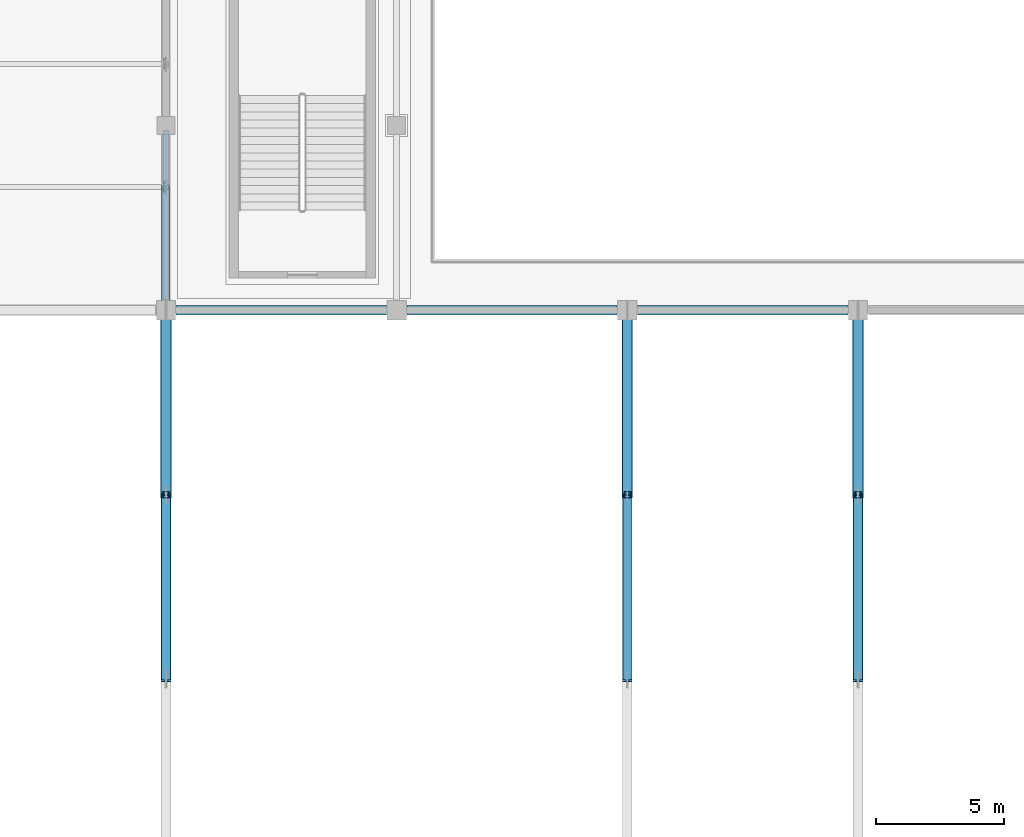
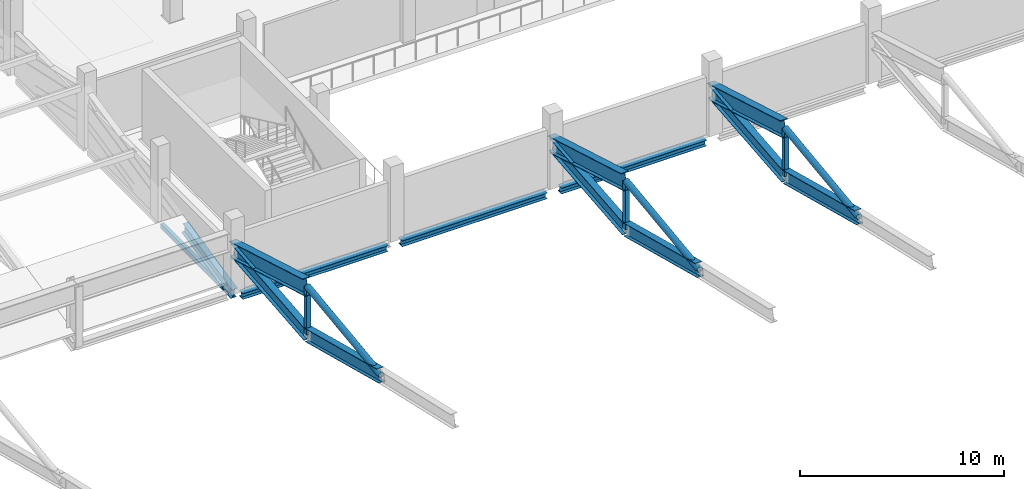
# One storey, part 26 of 151: 16 members, 4 beams.
"""IFC4 building model written with IfcOpenShell, lengths in metres."""

from ifc_helpers import new_model, si_unit, direction, frame, origin, origin_2d, place, context, subcontext, project, spatial, hollow_rectangle, hollow_circle, i_section, extrude, material, material_profile, profile_set, type_object, element, save


model = new_model("IFC4")

# Units and contexts
model_context = context("Model", 3, precision=1e-05, world=origin(), true_north=direction((0.0, 1.0)))
body_context = subcontext(model_context, "Body", "Model", "MODEL_VIEW")
ifc_project = project(units=[si_unit("LENGTHUNIT", "METRE"), si_unit("AREAUNIT", "SQUARE_METRE"), si_unit("VOLUMEUNIT", "CUBIC_METRE"), si_unit("PLANEANGLEUNIT", "RADIAN"), si_unit("MASSUNIT", "GRAM", prefix="KILO")], contexts=[model_context])

# Site, building, storey
site_placement = place(None, origin())
site = spatial("IfcSite", under=ifc_project, at=site_placement, CompositionType="ELEMENT")
building_placement = place(site_placement, origin())
building = spatial("IfcBuilding", under=site, at=building_placement, Name="Celestram Park Convention Centre", CompositionType="ELEMENT")
storey_placement = place(building_placement, frame((0.0, 0.0, 10.800048828125)))
storey = spatial("IfcBuildingStorey", under=building, at=storey_placement, Name="L02", CompositionType="ELEMENT", Elevation=10.800048828125)

# Members
ifc_material_1 = material(Name="Steel ASTM A500 Grade C", Category="steel")
ifc_material_profile_1 = material_profile(ifc_material_1, hollow_circle(Radius=0.177978515625, WallThickness=0.011962890625, at=origin_2d()), Name="CHS356X12")
ifc_profile_set_1 = profile_set([ifc_material_profile_1], Name="Steel ASTM A500 Grade C")
member_type_1 = type_object("IfcMemberType", Name="STR-BRC-CHS356", PredefinedType="BRACE", material=ifc_profile_set_1)
for number, where, z_axis, x_axis, name in (
    (1, (36.0, 93.60009765625, 3.615234375), (0.0, 0.991906664472, 0.126969165453), (-1.0, 0.0, 0.0), "V1 arch web diagonal"),
    (2, (54.0, 93.60009765625, 3.615234375), (0.0, 0.991906664472, 0.126969165453), (-1.0, 0.0, 0.0), "V1 arch web diagonal"),
    (3, (63.0, 93.60009765625, 3.615234375), (0.0, 0.991906664472, 0.126969165453), (-1.0, 0.0, 0.0), "V1 arch web diagonal"),
):
    element("IfcMember", number, at=place(storey_placement, frame(where, z_axis=z_axis, x_axis=x_axis)), inside=storey, type_object=member_type_1, Name=name, PredefinedType="BRACE", context=body_context, shape_type="SweptSolid", body=[
        extrude(hollow_circle(Radius=0.177978515625, WallThickness=0.011962890625, at=origin_2d()), origin(), (0.0, 0.0, 1.0), 7.2587890625),
    ])
ifc_material_2 = material(Name="Steel ASTM A992 Grade 50", Category="steel")
ifc_material_profile_2 = material_profile(ifc_material_2, i_section(OverallWidth=0.327880859375, OverallDepth=0.6220703125, WebThickness=0.015380859375, FlangeThickness=0.0244140625, at=origin_2d()), Name="W24X131")
ifc_profile_set_2 = profile_set([ifc_material_profile_2], Name="Steel ASTM A992 Grade 50")
member_type_2 = type_object("IfcMemberType", Name="STR-CHD-W24X131", PredefinedType="CHORD", material=ifc_profile_set_2)
member_1_placement = place(storey_placement, frame((36.0, 108.0, -0.236083984375), z_axis=(0.0, 0.976188228429, 0.216925200651), x_axis=(-1.0, 0.0, 0.0)))
element("IfcMember", 4, at=member_1_placement, inside=storey, type_object=member_type_2, Name="WPV arch top chord", PredefinedType="CHORD", context=body_context, shape_type="SweptSolid", body=[
    extrude(i_section(OverallWidth=0.327880859375, OverallDepth=0.6220703125, WebThickness=0.015380859375, FlangeThickness=0.0244140625, at=origin_2d()), origin(), (0.0, 0.0, 1.0), 4.917236328125),
])
ifc_material_profile_3 = material_profile(ifc_material_2, i_section(OverallWidth=0.381103515625, OverallDepth=0.77197265625, WebThickness=0.0166015625, FlangeThickness=0.027099609375, at=origin_2d()), Name="W30X173")
ifc_profile_set_3 = profile_set([ifc_material_profile_3], Name="Steel ASTM A992 Grade 50")
member_type_3 = type_object("IfcMemberType", Name="STR-CHD-W30X173", PredefinedType="CHORD", material=ifc_profile_set_3)
member_2_placement = place(storey_placement, frame((36.0, 93.60009765625, 3.615234375), z_axis=(0.0, 0.967611697295, -0.252443267403), x_axis=(-1.0, 0.0, 0.0)))
element("IfcMember", 5, at=member_2_placement, inside=storey, type_object=member_type_3, Name="V1 arch bottom chord", PredefinedType="CHORD", context=body_context, shape_type="SweptSolid", body=[
    extrude(i_section(OverallWidth=0.381103515625, OverallDepth=0.77197265625, WebThickness=0.0166015625, FlangeThickness=0.027099609375, at=origin_2d()), origin(), (0.0, 0.0, 1.0), 7.44091796875),
])
member_3_placement = place(storey_placement, frame((36.0, 100.800048828125, 1.73681640625), z_axis=(0.0, 0.995417621099, 0.095623007717), x_axis=(-1.0, 0.0, 0.0)))
element("IfcMember", 6, at=member_3_placement, inside=storey, type_object=member_type_3, Name="V1 arch bottom chord", PredefinedType="CHORD", context=body_context, shape_type="SweptSolid", body=[
    extrude(i_section(OverallWidth=0.381103515625, OverallDepth=0.77197265625, WebThickness=0.0166015625, FlangeThickness=0.027099609375, at=origin_2d()), origin(), (0.0, 0.0, 1.0), 7.233154296875),
])
member_4_placement = place(storey_placement, frame((54.0, 93.60009765625, 3.615234375), z_axis=(0.0, 0.967611697295, -0.252443267403), x_axis=(-1.0, 0.0, 0.0)))
element("IfcMember", 7, at=member_4_placement, inside=storey, type_object=member_type_3, Name="V1 arch bottom chord", PredefinedType="CHORD", context=body_context, shape_type="SweptSolid", body=[
    extrude(i_section(OverallWidth=0.381103515625, OverallDepth=0.77197265625, WebThickness=0.0166015625, FlangeThickness=0.027099609375, at=origin_2d()), origin(), (0.0, 0.0, 1.0), 7.44091796875),
])
member_5_placement = place(storey_placement, frame((54.0, 100.800048828125, 1.73681640625), z_axis=(0.0, 0.995417621099, 0.095623007717), x_axis=(-1.0, 0.0, 0.0)))
element("IfcMember", 8, at=member_5_placement, inside=storey, type_object=member_type_3, Name="V1 arch bottom chord", PredefinedType="CHORD", context=body_context, shape_type="SweptSolid", body=[
    extrude(i_section(OverallWidth=0.381103515625, OverallDepth=0.77197265625, WebThickness=0.0166015625, FlangeThickness=0.027099609375, at=origin_2d()), origin(), (0.0, 0.0, 1.0), 7.233154296875),
])
member_6_placement = place(storey_placement, frame((63.0, 93.60009765625, 3.615234375), z_axis=(0.0, 0.967611697295, -0.252443267403), x_axis=(-1.0, 0.0, 0.0)))
element("IfcMember", 9, at=member_6_placement, inside=storey, type_object=member_type_3, Name="V1 arch bottom chord", PredefinedType="CHORD", context=body_context, shape_type="SweptSolid", body=[
    extrude(i_section(OverallWidth=0.381103515625, OverallDepth=0.77197265625, WebThickness=0.0166015625, FlangeThickness=0.027099609375, at=origin_2d()), origin(), (0.0, 0.0, 1.0), 7.44091796875),
])
member_7_placement = place(storey_placement, frame((63.0, 100.800048828125, 1.73681640625), z_axis=(0.0, 0.995417621099, 0.095623007717), x_axis=(-1.0, 0.0, 0.0)))
element("IfcMember", 10, at=member_7_placement, inside=storey, type_object=member_type_3, Name="V1 arch bottom chord", PredefinedType="CHORD", context=body_context, shape_type="SweptSolid", body=[
    extrude(i_section(OverallWidth=0.381103515625, OverallDepth=0.77197265625, WebThickness=0.0166015625, FlangeThickness=0.027099609375, at=origin_2d()), origin(), (0.0, 0.0, 1.0), 7.233154296875),
])
ifc_material_profile_4 = material_profile(ifc_material_2, i_section(OverallWidth=0.4189453125, OverallDepth=0.927001953125, WebThickness=0.019287109375, FlangeThickness=0.031982421875, at=origin_2d()), Name="W36X231")
ifc_profile_set_4 = profile_set([ifc_material_profile_4], Name="Steel ASTM A992 Grade 50")
member_type_4 = type_object("IfcMemberType", Name="STR-CHD-W36X231", PredefinedType="CHORD", material=ifc_profile_set_4)
for number, where, z_axis, x_axis, name in (
    (11, (36.0, 100.800048828125, 4.536865234375), (0.0, 0.959698026141, -0.281033269599), (-1.0, 0.0, 0.0), "V1 arch top chord"),
    (12, (54.0, 100.800048828125, 4.536865234375), (0.0, 0.959698026141, -0.281033269599), (-1.0, 0.0, 0.0), "V1 arch top chord"),
    (13, (63.0, 100.800048828125, 4.536865234375), (0.0, 0.959698026141, -0.281033269599), (-1.0, 0.0, 0.0), "V1 arch top chord"),
):
    element("IfcMember", number, at=place(storey_placement, frame(where, z_axis=z_axis, x_axis=x_axis)), inside=storey, type_object=member_type_4, Name=name, PredefinedType="CHORD", context=body_context, shape_type="SweptSolid", body=[
        extrude(i_section(OverallWidth=0.4189453125, OverallDepth=0.927001953125, WebThickness=0.019287109375, FlangeThickness=0.031982421875, at=origin_2d()), origin(), (0.0, 0.0, 1.0), 7.502197265625),
    ])

# Beams
ifc_material_profile_5 = material_profile(ifc_material_1, hollow_rectangle(XDim=0.199951171875, YDim=0.300048828125, WallThickness=0.011962890625, at=origin_2d()), Name="HSS300X200X12")
ifc_profile_set_5 = profile_set([ifc_material_profile_5], Name="Steel ASTM A500 Grade C")
beam_type_1 = type_object("IfcBeamType", Name="STR-SPN-HSS300X200", PredefinedType="SPANDREL", material=ifc_profile_set_5)
beam_placement = place(storey_placement, frame((36.0, 108.39794921875, -0.429931640625), z_axis=(0.0, 1.0, 0.0), x_axis=(-1.0, 0.0, 0.0)))
element("IfcBeam", 14, at=beam_placement, inside=storey, type_object=beam_type_1, Name="Primary Y-girder BG-L02-0011", PredefinedType="SPANDREL", context=body_context, shape_type="SweptSolid", body=[
    extrude(hollow_rectangle(XDim=0.199951171875, YDim=0.300048828125, WallThickness=0.011962890625, at=origin_2d()), origin(), (0.0, 0.0, 1.0), 6.619140625),
])
ifc_material_profile_6 = material_profile(ifc_material_2, i_section(OverallWidth=0.367919921875, OverallDepth=0.35595703125, WebThickness=0.01123046875, FlangeThickness=0.01806640625, at=origin_2d()), Name="W14X90")
ifc_profile_set_6 = profile_set([ifc_material_profile_6], Name="Steel ASTM A992 Grade 50")
beam_type_2 = type_object("IfcBeamType", Name="STR-SPN-W14X90", PredefinedType="SPANDREL", material=ifc_profile_set_6)
for number, where, z_axis, x_axis, name in (
    (15, (36.39794921875, 108.0, -0.4580078125), (1.0, 0.0, 0.0), (0.0, 1.0, 0.0), "Primary X-girder BG-L02-0010"),
    (16, (45.39794921875, 108.0, -0.4580078125), (1.0, 0.0, 0.0), (0.0, 1.0, 0.0), "Primary X-girder BG-L02-0024"),
    (17, (54.39794921875, 108.0, -0.4580078125), (1.0, 0.0, 0.0), (0.0, 1.0, 0.0), "Primary X-girder BG-L02-0040"),
):
    element("IfcBeam", number, at=place(storey_placement, frame(where, z_axis=z_axis, x_axis=x_axis)), inside=storey, type_object=beam_type_2, Name=name, PredefinedType="SPANDREL", context=body_context, shape_type="SweptSolid", body=[
        extrude(i_section(OverallWidth=0.367919921875, OverallDepth=0.35595703125, WebThickness=0.01123046875, FlangeThickness=0.01806640625, at=origin_2d()), origin(), (0.0, 0.0, 1.0), 8.2041015625),
    ])

# Members
ifc_material_profile_7 = material_profile(ifc_material_1, hollow_rectangle(XDim=0.25, YDim=0.25, WallThickness=0.011962890625, at=origin_2d()), Name="HSS250X250X12")
ifc_profile_set_7 = profile_set([ifc_material_profile_7], Name="Steel ASTM A500 Grade C")
member_type_5 = type_object("IfcMemberType", Name="STR-STR-HSS250", PredefinedType="STRUT", material=ifc_profile_set_7)
for number, where, z_axis, x_axis, name in (
    (18, (36.0, 100.800048828125, 1.73681640625), (0.0, 0.0, 1.0), (1.0, 0.0, 0.0), "V1 arch vertical strut"),
    (19, (54.0, 100.800048828125, 1.73681640625), (0.0, 0.0, 1.0), (1.0, 0.0, 0.0), "V1 arch vertical strut"),
    (20, (63.0, 100.800048828125, 1.73681640625), (0.0, 0.0, 1.0), (1.0, 0.0, 0.0), "V1 arch vertical strut"),
):
    element("IfcMember", number, at=place(storey_placement, frame(where, z_axis=z_axis, x_axis=x_axis)), inside=storey, type_object=member_type_5, Name=name, PredefinedType="STRUT", context=body_context, shape_type="SweptSolid", body=[
        extrude(hollow_rectangle(XDim=0.25, YDim=0.25, WallThickness=0.011962890625, at=origin_2d()), origin(), (0.0, 0.0, 1.0), 2.800048828125),
    ])

save(model, "model.ifc")
